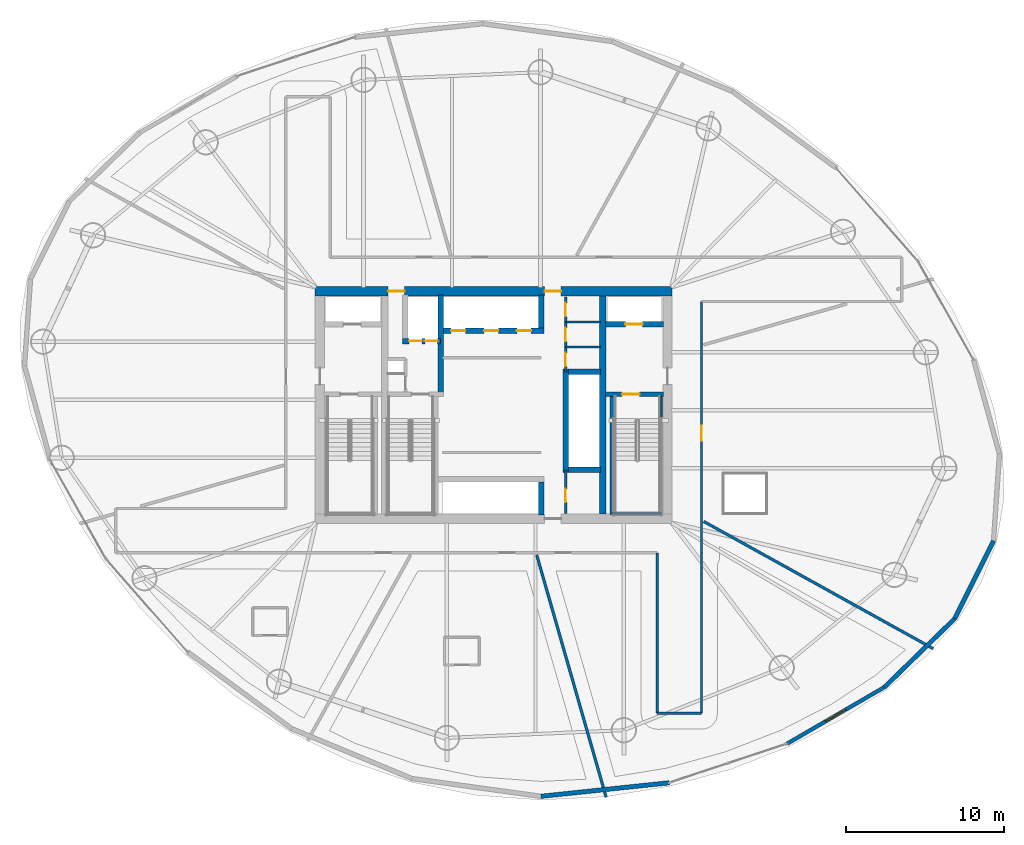
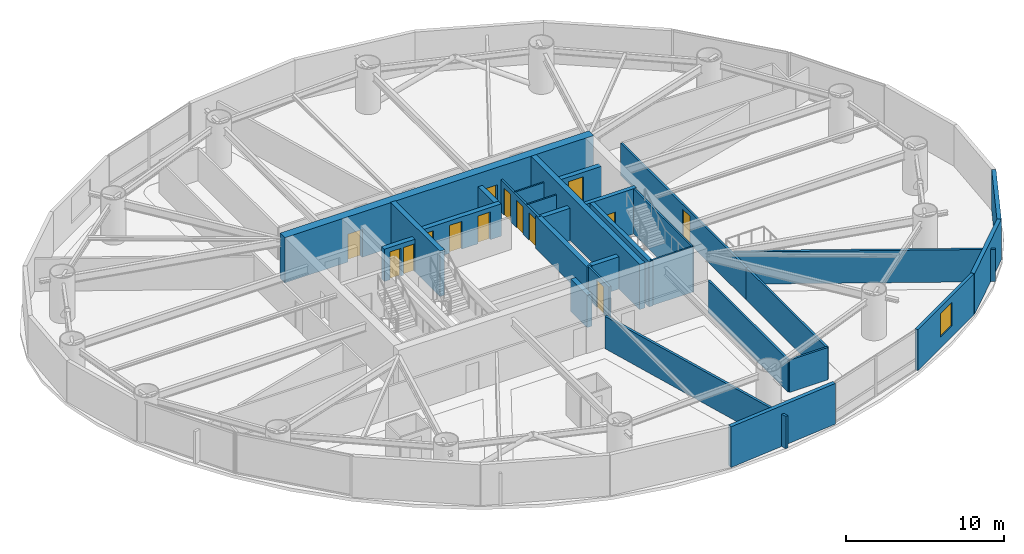
# One storey, part 19 of 25: 29 walls, 14 doors, 1 window, 15 openings.
"""IFC4 building model written with IfcOpenShell, lengths in metres."""

from ifc_helpers import new_model, si_unit, direction, frame, frame_2d, origin, place, context, subcontext, project, spatial, rectangle, extrude, material, layer, layer_set, type_object, element, fill, save


model = new_model("IFC4")

# Units and contexts
model_context = context("Model", 3, precision=1e-05, world=origin(), true_north=direction((0.0, 1.0)))
body_context = subcontext(model_context, "Body", "Model", "MODEL_VIEW")
ifc_project = project(units=[si_unit("LENGTHUNIT", "METRE"), si_unit("AREAUNIT", "SQUARE_METRE"), si_unit("VOLUMEUNIT", "CUBIC_METRE"), si_unit("PLANEANGLEUNIT", "RADIAN"), si_unit("MASSUNIT", "GRAM", prefix="KILO")], contexts=[model_context])

# Site, building, storey
site_placement = place(None, origin())
site = spatial("IfcSite", under=ifc_project, at=site_placement, CompositionType="ELEMENT")
building_placement = place(site_placement, origin())
building = spatial("IfcBuilding", under=site, at=building_placement, Name="Bramvorn Convention Spire", CompositionType="ELEMENT")
storey_placement = place(building_placement, frame((0.0, 0.0, 93.89990234375)))
storey = spatial("IfcBuildingStorey", under=building, at=storey_placement, Name="L22", CompositionType="ELEMENT", Elevation=93.89990234375)

# Wall, openings, doors
ifc_material_1 = material(Name="Concrete C60/70", Category="concrete")
ifc_layer_1 = layer(ifc_material_1, 0.60009765625)
ifc_layer_set_1 = layer_set([ifc_layer_1], Name="Concrete C60/70 - WL-CORE-600")
wall_type_1 = type_object("IfcWallType", Name="WL-CORE-600", PredefinedType="SHEAR", material=ifc_layer_set_1)
wall_1_placement = place(storey_placement, frame((26.699951171875, 33.199951171875, 0.0), z_axis=(0.0, 0.0, 1.0), x_axis=(1.0, 0.0, 0.0)))
wall_1 = element("IfcWall", 1, at=wall_1_placement, inside=storey, type_object=wall_type_1, Name="L22 North RC core shear wall", PredefinedType="SHEAR", context=body_context, shape_type="SweptSolid", body=[
    extrude(rectangle(XDim=22.60009765625, YDim=0.60009765625, at=frame_2d((11.300048828125, 0.0))), origin(), (0.0, 0.0, 1.0), 3.5),
])
opening_1_placement = place(wall_1_placement, frame((4.6201171875, 0.0, 0.0)))
opening_1 = element("IfcOpeningElement", 2, at=opening_1_placement, cuts=wall_1, Name="Opening DL-105", PredefinedType="OPENING", context=body_context, shape_type="SweptSolid", body=[
    extrude(rectangle(XDim=1.050048828125, YDim=2.14990234375, at=frame_2d((0.52490234375, 1.074951171875))), frame((0.0, 0.31005859375, 0.0), z_axis=(0.0, -1.0, 0.0), x_axis=(1.0, 0.0, 0.0)), (0.0, 0.0, 1.0), 0.6201171875),
])
opening_2_placement = place(wall_1_placement, frame((14.52001953125, 0.0, 0.0)))
opening_2 = element("IfcOpeningElement", 3, at=opening_2_placement, cuts=wall_1, Name="Opening DL-105", PredefinedType="OPENING", context=body_context, shape_type="SweptSolid", body=[
    extrude(rectangle(XDim=1.050048828125, YDim=2.14990234375, at=frame_2d((0.52490234375, 1.074951171875))), frame((0.0, 0.31005859375, 0.0), z_axis=(0.0, -1.0, 0.0), x_axis=(1.0, 0.0, 0.0)), (0.0, 0.0, 1.0), 0.6201171875),
])
ifc_material_2 = material(Name="Smoke-Sealed Fire Lobby Timber-Core Door", Category="wood")
door_type_1 = type_object("IfcDoorType", Name="DR-LOBBY-1050", OperationType="NOTDEFINED", PredefinedType="DOOR", material=ifc_material_2)
door_1_placement = place(opening_1_placement, origin())
door_1 = element("IfcDoor", 4, at=door_1_placement, inside=storey, type_object=door_type_1, Name="L22 Service & Stair ST3 Lobby north corridor door", OperationType="SINGLE_SWING_LEFT", OverallHeight=2.14990234375, OverallWidth=1.050048828125, PredefinedType="DOOR", context=body_context, shape_type="SweptSolid", body=[
    extrude(rectangle(XDim=1.050048828125, YDim=2.14990234375, at=frame_2d((0.52490234375, 1.074951171875))), frame((0.0, 0.02490234375, 0.0), z_axis=(0.0, -1.0, 0.0), x_axis=(1.0, 0.0, 0.0)), (0.0, 0.0, 1.0), 0.050048828125),
])
fill(opening_1, door_1)
door_2_placement = place(opening_2_placement, origin())
door_2 = element("IfcDoor", 5, at=door_2_placement, inside=storey, type_object=door_type_1, Name="L22 North Lift Lobby fire door", OperationType="SINGLE_SWING_LEFT", OverallHeight=2.14990234375, OverallWidth=1.050048828125, PredefinedType="DOOR", context=body_context, shape_type="SweptSolid", body=[
    extrude(rectangle(XDim=1.050048828125, YDim=2.14990234375, at=frame_2d((0.52490234375, 1.074951171875))), frame((0.0, 0.02490234375, 0.0), z_axis=(0.0, -1.0, 0.0), x_axis=(1.0, 0.0, 0.0)), (0.0, 0.0, 1.0), 0.050048828125),
])
fill(opening_2, door_2)

# Wall, opening, door
ifc_material_3 = material(Name="Concrete C50/60", Category="concrete")
ifc_layer_2 = layer(ifc_material_3, 0.35009765625)
ifc_layer_set_2 = layer_set([ifc_layer_2], Name="Concrete C50/60 - WL-CORE-INT-350")
wall_type_2 = type_object("IfcWallType", Name="WL-CORE-INT-350", PredefinedType="SHEAR", material=ifc_layer_set_2)
wall_2_placement = place(storey_placement, frame((45.080078125, 31.1201171875, 0.0), z_axis=(0.0, 0.0, 1.0), x_axis=(1.0, 0.0, 0.0)))
wall_2 = element("IfcWall", 6, at=wall_2_placement, inside=storey, type_object=wall_type_2, Name="L22 FE2 shaft front wall", PredefinedType="SHEAR", context=body_context, shape_type="SweptSolid", body=[
    extrude(rectangle(XDim=3.669921875, YDim=0.35009765625, at=frame_2d((1.8349609375, 0.0))), origin(), (0.0, 0.0, 1.0), 2.5),
])
opening_3_placement = place(wall_2_placement, frame((1.25, 0.0, 0.0)))
opening_3 = element("IfcOpeningElement", 7, at=opening_3_placement, cuts=wall_2, Name="Opening LD-110", PredefinedType="OPENING", context=body_context, shape_type="SweptSolid", body=[
    extrude(rectangle(XDim=1.10009765625, YDim=2.14990234375, at=frame_2d((0.550048828125, 1.074951171875))), frame((0.0, 0.18505859375, 0.0), z_axis=(0.0, -1.0, 0.0), x_axis=(1.0, 0.0, 0.0)), (0.0, 0.0, 1.0), 0.3701171875),
])
ifc_material_4 = material(Name="Firefighting & Service Lift Sliding Landing Door", Category="steel")
door_type_2 = type_object("IfcDoorType", Name="DR-LIFT-LD-1100", OperationType="NOTDEFINED", PredefinedType="DOOR", material=ifc_material_4)
door_3_placement = place(opening_3_placement, origin())
door_3 = element("IfcDoor", 8, at=door_3_placement, inside=storey, type_object=door_type_2, Name="L22 Lift FE2 Sliding Landing Door", OperationType="SLIDING_TO_LEFT", OverallHeight=2.14990234375, OverallWidth=1.10009765625, PredefinedType="DOOR", context=body_context, shape_type="SweptSolid", body=[
    extrude(rectangle(XDim=1.10009765625, YDim=2.14990234375, at=frame_2d((0.550048828125, 1.074951171875))), frame((0.0, 0.02490234375, 0.0), z_axis=(0.0, -1.0, 0.0), x_axis=(1.0, 0.0, 0.0)), (0.0, 0.0, 1.0), 0.050048828125),
])
fill(opening_3, door_3)

# Wall
wall_3_placement = place(storey_placement, frame((34.639892578125, 26.68994140625, 0.0), z_axis=(0.0, 0.0, 1.0), x_axis=(0.0, 1.0, 0.0)))
element("IfcWall", 9, at=wall_3_placement, inside=storey, type_object=wall_type_2, Name="L22 SV east core shaft wall", PredefinedType="SHEAR", context=body_context, shape_type="SweptSolid", body=[
    extrude(rectangle(XDim=6.260009765625, YDim=0.35009765625, at=frame_2d((3.1298828125, 0.0))), origin(), (0.0, 0.0, 1.0), 3.5),
])

# Wall, openings, doors
wall_4_placement = place(storey_placement, frame((32.22998046875, 30.050048828125, 0.0), z_axis=(0.0, 0.0, 1.0), x_axis=(1.0, 0.0, 0.0)))
wall_4 = element("IfcWall", 10, at=wall_4_placement, inside=storey, type_object=wall_type_2, Name="L22 SV1/SV2 shaft front wall", PredefinedType="SHEAR", context=body_context, shape_type="SweptSolid", body=[
    extrude(rectangle(XDim=2.409912109375, YDim=0.35009765625, at=frame_2d((1.205078125, 0.0))), origin(), (0.0, 0.0, 1.0), 2.5),
])
opening_4_placement = place(wall_4_placement, frame((0.419921875, 0.0, 0.0)))
opening_4 = element("IfcOpeningElement", 11, at=opening_4_placement, cuts=wall_4, Name="Opening LD-080", PredefinedType="OPENING", context=body_context, shape_type="SweptSolid", body=[
    extrude(rectangle(XDim=0.800048828125, YDim=2.14990234375, at=frame_2d((0.39990234375, 1.074951171875))), frame((0.0, 0.18505859375, 0.0), z_axis=(0.0, -1.0, 0.0), x_axis=(1.0, 0.0, 0.0)), (0.0, 0.0, 1.0), 0.3701171875),
])
opening_5_placement = place(wall_4_placement, frame((1.419921875, 0.0, 0.0)))
opening_5 = element("IfcOpeningElement", 12, at=opening_5_placement, cuts=wall_4, Name="Opening LD-080", PredefinedType="OPENING", context=body_context, shape_type="SweptSolid", body=[
    extrude(rectangle(XDim=0.800048828125, YDim=2.14990234375, at=frame_2d((0.39990234375, 1.074951171875))), frame((0.0, 0.18505859375, 0.0), z_axis=(0.0, -1.0, 0.0), x_axis=(1.0, 0.0, 0.0)), (0.0, 0.0, 1.0), 0.3701171875),
])
ifc_material_5 = material(Name="Service Lift Bi-Parting Landing Door", Category="steel")
door_type_3 = type_object("IfcDoorType", Name="DR-LIFT-LD-800", OperationType="NOTDEFINED", PredefinedType="DOOR", material=ifc_material_5)
door_4_placement = place(opening_4_placement, origin())
door_4 = element("IfcDoor", 13, at=door_4_placement, inside=storey, type_object=door_type_3, Name="L22 Lift SV1 Sliding Landing Door", OperationType="SLIDING_TO_LEFT", OverallHeight=2.14990234375, OverallWidth=0.800048828125, PredefinedType="DOOR", context=body_context, shape_type="SweptSolid", body=[
    extrude(rectangle(XDim=0.800048828125, YDim=2.14990234375, at=frame_2d((0.39990234375, 1.074951171875))), frame((0.0, 0.02490234375, 0.0), z_axis=(0.0, -1.0, 0.0), x_axis=(1.0, 0.0, 0.0)), (0.0, 0.0, 1.0), 0.050048828125),
])
fill(opening_4, door_4)
door_5_placement = place(opening_5_placement, origin())
door_5 = element("IfcDoor", 14, at=door_5_placement, inside=storey, type_object=door_type_3, Name="L22 Lift SV2 Sliding Landing Door", OperationType="SLIDING_TO_LEFT", OverallHeight=2.14990234375, OverallWidth=0.800048828125, PredefinedType="DOOR", context=body_context, shape_type="SweptSolid", body=[
    extrude(rectangle(XDim=0.800048828125, YDim=2.14990234375, at=frame_2d((0.39990234375, 1.074951171875))), frame((0.0, 0.02490234375, 0.0), z_axis=(0.0, -1.0, 0.0), x_axis=(1.0, 0.0, 0.0)), (0.0, 0.0, 1.0), 0.050048828125),
])
fill(opening_5, door_5)

# Walls
wall_5_placement = place(storey_placement, frame((42.550048828125, 21.72998046875, 0.0), z_axis=(0.0, 0.0, 1.0), x_axis=(0.0, 1.0, 0.0)))
element("IfcWall", 15, at=wall_5_placement, inside=storey, type_object=wall_type_2, Name="L22 High-rise lift bank west wall", PredefinedType="SHEAR", context=body_context, shape_type="SweptSolid", body=[
    extrude(rectangle(XDim=6.5400390625, YDim=0.35009765625, at=frame_2d((3.27001953125, 0.0))), origin(), (0.0, 0.0, 1.0), 2.5),
])
for number, where, z_axis, x_axis, name in (
    (16, (42.719970703125, 21.89990234375, 0.0), (0.0, 0.0, 1.0), (1.0, 0.0, 0.0), "L22 High-rise lift bank south wall"),
    (17, (42.719970703125, 28.10009765625, 0.0), (0.0, 0.0, 1.0), (1.0, 0.0, 0.0), "L22 High-rise lift bank north wall"),
):
    element("IfcWall", number, at=place(storey_placement, frame(where, z_axis=z_axis, x_axis=x_axis)), inside=storey, type_object=wall_type_2, Name=name, PredefinedType="SHEAR", context=body_context, shape_type="SweptSolid", body=[
        extrude(rectangle(XDim=2.030029296875, YDim=0.35009765625, at=frame_2d((1.01513671875, 0.0))), origin(), (0.0, 0.0, 1.0), 2.5),
    ])

# Wall, openings, doors
wall_6_placement = place(storey_placement, frame((34.81005859375, 30.699951171875, 0.0), z_axis=(0.0, 0.0, 1.0), x_axis=(1.0, 0.0, 0.0)))
wall_6 = element("IfcWall", 18, at=wall_6_placement, inside=storey, type_object=wall_type_2, Name="L22 Low-rise bank south landing wall", PredefinedType="SHEAR", context=body_context, shape_type="SweptSolid", body=[
    extrude(rectangle(XDim=6.35986328125, YDim=0.35009765625, at=frame_2d((3.179931640625, 0.0))), origin(), (0.0, 0.0, 1.0), 2.5),
])
opening_6_placement = place(wall_6_placement, frame((0.5, 0.0, 0.0)))
opening_6 = element("IfcOpeningElement", 19, at=opening_6_placement, cuts=wall_6, Name="Opening LD-090", PredefinedType="OPENING", context=body_context, shape_type="SweptSolid", body=[
    extrude(rectangle(XDim=0.89990234375, YDim=2.14990234375, at=frame_2d((0.449951171875, 1.074951171875))), frame((0.0, 0.18505859375, 0.0), z_axis=(0.0, -1.0, 0.0), x_axis=(1.0, 0.0, 0.0)), (0.0, 0.0, 1.0), 0.3701171875),
])
opening_7_placement = place(wall_6_placement, frame((2.580078125, 0.0, 0.0)))
opening_7 = element("IfcOpeningElement", 20, at=opening_7_placement, cuts=wall_6, Name="Opening LD-090", PredefinedType="OPENING", context=body_context, shape_type="SweptSolid", body=[
    extrude(rectangle(XDim=0.89990234375, YDim=2.14990234375, at=frame_2d((0.449951171875, 1.074951171875))), frame((0.0, 0.18505859375, 0.0), z_axis=(0.0, -1.0, 0.0), x_axis=(1.0, 0.0, 0.0)), (0.0, 0.0, 1.0), 0.3701171875),
])
opening_8_placement = place(wall_6_placement, frame((4.659912109375, 0.0, 0.0)))
opening_8 = element("IfcOpeningElement", 21, at=opening_8_placement, cuts=wall_6, Name="Opening LD-090", PredefinedType="OPENING", context=body_context, shape_type="SweptSolid", body=[
    extrude(rectangle(XDim=0.89990234375, YDim=2.14990234375, at=frame_2d((0.449951171875, 1.074951171875))), frame((0.0, 0.18505859375, 0.0), z_axis=(0.0, -1.0, 0.0), x_axis=(1.0, 0.0, 0.0)), (0.0, 0.0, 1.0), 0.3701171875),
])
ifc_material_6 = material(Name="Bi-Parting Fire-Rated Lift Landing Door", Category="steel")
door_type_4 = type_object("IfcDoorType", Name="DR-LIFT-LD-900", OperationType="NOTDEFINED", PredefinedType="DOOR", material=ifc_material_6)
door_6_placement = place(opening_6_placement, origin())
door_6 = element("IfcDoor", 22, at=door_6_placement, inside=storey, type_object=door_type_4, Name="L22 Lift PL1 Sliding Landing Door", OperationType="SLIDING_TO_LEFT", OverallHeight=2.14990234375, OverallWidth=0.89990234375, PredefinedType="DOOR", context=body_context, shape_type="SweptSolid", body=[
    extrude(rectangle(XDim=0.89990234375, YDim=2.14990234375, at=frame_2d((0.449951171875, 1.074951171875))), frame((0.0, 0.02490234375, 0.0), z_axis=(0.0, -1.0, 0.0), x_axis=(1.0, 0.0, 0.0)), (0.0, 0.0, 1.0), 0.050048828125),
])
fill(opening_6, door_6)
door_7_placement = place(opening_7_placement, origin())
door_7 = element("IfcDoor", 23, at=door_7_placement, inside=storey, type_object=door_type_4, Name="L22 Lift PL2 Sliding Landing Door", OperationType="SLIDING_TO_LEFT", OverallHeight=2.14990234375, OverallWidth=0.89990234375, PredefinedType="DOOR", context=body_context, shape_type="SweptSolid", body=[
    extrude(rectangle(XDim=0.89990234375, YDim=2.14990234375, at=frame_2d((0.449951171875, 1.074951171875))), frame((0.0, 0.02490234375, 0.0), z_axis=(0.0, -1.0, 0.0), x_axis=(1.0, 0.0, 0.0)), (0.0, 0.0, 1.0), 0.050048828125),
])
fill(opening_7, door_7)
door_8_placement = place(opening_8_placement, origin())
door_8 = element("IfcDoor", 24, at=door_8_placement, inside=storey, type_object=door_type_4, Name="L22 Lift PL3 Sliding Landing Door", OperationType="SLIDING_TO_LEFT", OverallHeight=2.14990234375, OverallWidth=0.89990234375, PredefinedType="DOOR", context=body_context, shape_type="SweptSolid", body=[
    extrude(rectangle(XDim=0.89990234375, YDim=2.14990234375, at=frame_2d((0.449951171875, 1.074951171875))), frame((0.0, 0.02490234375, 0.0), z_axis=(0.0, -1.0, 0.0), x_axis=(1.0, 0.0, 0.0)), (0.0, 0.0, 1.0), 0.050048828125),
])
fill(opening_8, door_8)

# Walls
for number, where, z_axis, x_axis, name in (
    (25, (41.0, 30.8701171875, 0.0), (0.0, 0.0, 1.0), (0.0, 1.0, 0.0), "L22 Low-rise bank east cheek wall"),
    (26, (41.0, 19.050048828125, 0.0), (0.0, 0.0, 1.0), (0.0, 1.0, 0.0), "L22 Mid-rise bank east cheek wall"),
):
    element("IfcWall", number, at=place(storey_placement, frame(where, z_axis=z_axis, x_axis=x_axis)), inside=storey, type_object=wall_type_2, Name=name, PredefinedType="SHEAR", context=body_context, shape_type="SweptSolid", body=[
        extrude(rectangle(XDim=2.079833984375, YDim=0.35009765625, at=frame_2d((1.0400390625, 0.0))), origin(), (0.0, 0.0, 1.0), 2.5),
    ])
ifc_layer_3 = layer(ifc_material_1, 0.39990234375)
ifc_layer_set_3 = layer_set([ifc_layer_3], Name="Concrete C60/70 - WL-CORE-INT-400")
wall_type_3 = type_object("IfcWallType", Name="WL-CORE-INT-400", PredefinedType="SHEAR", material=ifc_layer_set_3)
wall_7_placement = place(storey_placement, frame((44.89990234375, 19.10009765625, 0.0), z_axis=(0.0, 0.0, 1.0), x_axis=(0.0, 1.0, 0.0)))
element("IfcWall", 27, at=wall_7_placement, inside=storey, type_object=wall_type_3, Name="L22 East internal core shear web", PredefinedType="SHEAR", context=body_context, shape_type="SweptSolid", body=[
    extrude(rectangle(XDim=13.7998046875, YDim=0.39990234375, at=frame_2d((6.89990234375, 0.0))), origin(), (0.0, 0.0, 1.0), 3.5),
])
ifc_material_7 = material(Name="Precast Concrete C40/50 with Bronze Terracotta Rainscreen", Category="masonry")
ifc_layer_4 = layer(ifc_material_7, 0.300048828125)
ifc_layer_set_4 = layer_set([ifc_layer_4], Name="Precast Concrete C40/50 with Bronze Terracotta Rainscreen - WL-EXT-BRONZE-300")
wall_type_4 = type_object("IfcWallType", Name="WL-EXT-BRONZE-300", PredefinedType="SOLIDWALL", material=ifc_layer_set_4)
wall_8_placement = place(storey_placement, frame((49.110595703125, 2.09375, 0.0), z_axis=(0.0, 0.0, 1.0), x_axis=(-0.994472330428, -0.10499897149, 0.0)))
element("IfcWall", 28, at=wall_8_placement, inside=storey, type_object=wall_type_4, Name="L22 expressed bronze Gothic lancet pier wall 20", PredefinedType="SOLIDWALL", context=body_context, shape_type="SweptSolid", body=[
    extrude(rectangle(XDim=8.170654296875, YDim=0.280029296875, at=frame_2d((4.08544921875, 0.0))), origin(), (0.0, 0.0, 1.0), 3.150146484375),
])

# Wall, opening, window
wall_9_placement = place(storey_placement, frame((62.73388671875, 8.148193359375, 0.0), z_axis=(0.0, 0.0, 1.0), x_axis=(-0.864595936776, -0.502467776192, 0.0)))
wall_9 = element("IfcWall", 29, at=wall_9_placement, inside=storey, type_object=wall_type_4, Name="L22 bronze ceramic-frit spandrel & operable window bay 22", PredefinedType="SOLIDWALL", context=body_context, shape_type="SweptSolid", body=[
    extrude(rectangle(XDim=7.14306640625, YDim=0.239990234375, at=frame_2d((3.571533203125, 0.0))), origin(), (0.0, 0.0, 1.0), 3.150146484375),
])
opening_9_placement = place(wall_9_placement, frame((2.8212890625, 0.0, 0.85009765625)))
opening_9 = element("IfcOpeningElement", 30, at=opening_9_placement, cuts=wall_9, Name="Opening WN02", PredefinedType="OPENING", context=body_context, shape_type="SweptSolid", body=[
    extrude(rectangle(XDim=1.5, YDim=1.800048828125, at=frame_2d((0.75, 0.89990234375))), frame((0.0, 0.1298828125, 0.0), z_axis=(0.0, -1.0, 0.0), x_axis=(1.0, 0.0, 0.0)), (0.0, 0.0, 1.0), 0.260009765625),
])
ifc_material_8 = material(Name="Thermally Broken Bronze Aluminium & Triple Low-E Glass", Category="aluminium")
window_type = type_object("IfcWindowType", Name="WN-OP-1500X1800", PartitioningType="SINGLE_PANEL", PredefinedType="WINDOW", material=ifc_material_8)
window_placement = place(opening_9_placement, origin())
window = element("IfcWindow", 31, at=window_placement, inside=storey, type_object=window_type, Name="L22 operable parallel-vent window 22", OverallHeight=1.800048828125, OverallWidth=1.5, PartitioningType="SINGLE_PANEL", PredefinedType="WINDOW", context=body_context, shape_type="SweptSolid", body=[
    extrude(rectangle(XDim=1.5, YDim=1.800048828125, at=frame_2d((0.75, 0.89990234375))), frame((0.0, 0.030029296875, 0.0), z_axis=(0.0, -1.0, 0.0), x_axis=(1.0, 0.0, 0.0)), (0.0, 0.0, 1.0), 0.06005859375),
])
fill(opening_9, window)

# Walls
wall_10_placement = place(storey_placement, frame((67.181396484375, 12.485107421875, 0.0), z_axis=(0.0, 0.0, 1.0), x_axis=(-0.715952500347, -0.698148993587, 0.0)))
element("IfcWall", 32, at=wall_10_placement, inside=storey, type_object=wall_type_4, Name="L22 expressed bronze Gothic lancet pier wall 23", PredefinedType="SOLIDWALL", context=body_context, shape_type="SweptSolid", body=[
    extrude(rectangle(XDim=6.2119140625, YDim=0.280029296875, at=frame_2d((3.10595703125, 0.0))), origin(), (0.0, 0.0, 1.0), 3.150146484375),
])
wall_11_placement = place(storey_placement, frame((69.63330078125, 17.405517578125, 0.0), z_axis=(0.0, 0.0, 1.0), x_axis=(-0.446005247533, -0.895030345392, 0.0)))
element("IfcWall", 33, at=wall_11_placement, inside=storey, type_object=wall_type_4, Name="L22 expressed bronze Gothic lancet pier wall 24", PredefinedType="SOLIDWALL", context=body_context, shape_type="SweptSolid", body=[
    extrude(rectangle(XDim=5.49755859375, YDim=0.280029296875, at=frame_2d((2.748779296875, 0.0))), origin(), (0.0, 0.0, 1.0), 3.150146484375),
])
ifc_material_9 = material(Name="Lightweight En-Suite & Wet-Wall Partition", Category="gypsum")
ifc_layer_5 = layer(ifc_material_9, 0.110107421875)
ifc_layer_set_5 = layer_set([ifc_layer_5], Name="Lightweight En-Suite & Wet-Wall Partition - WL-PART-110")
wall_type_5 = type_object("IfcWallType", Name="WL-PART-110", PredefinedType="PARTITIONING", material=ifc_layer_set_5)
for number, where, z_axis, x_axis, name in (
    (34, (42.550048828125, 29.679931640625, 0.0), (0.0, 0.0, 1.0), (1.0, 0.0, 0.0), "L22 KC NE div 1"),
    (35, (42.550048828125, 31.260009765625, 0.0), (0.0, 0.0, 1.0), (1.0, 0.0, 0.0), "L22 KC NE div 2"),
):
    element("IfcWall", number, at=place(storey_placement, frame(where, z_axis=z_axis, x_axis=x_axis)), inside=storey, type_object=wall_type_5, Name=name, PredefinedType="PARTITIONING", context=body_context, shape_type="SweptSolid", body=[
        extrude(rectangle(XDim=2.199951171875, YDim=0.110107421875, at=frame_2d((1.10009765625, 0.0))), origin(), (0.0, 0.0, 1.0), 2.5),
    ])

# Wall, openings, doors
ifc_material_10 = material(Name="Acoustic Metal-Stud Tenant/Corridor Partition", Category="gypsum")
ifc_layer_6 = layer(ifc_material_10, 0.14990234375)
ifc_layer_set_6 = layer_set([ifc_layer_6], Name="Acoustic Metal-Stud Tenant/Corridor Partition - WL-PART-150")
wall_type_6 = type_object("IfcWallType", Name="WL-PART-150", PredefinedType="PARTITIONING", material=ifc_layer_set_6)
wall_12_placement = place(storey_placement, frame((42.550048828125, 28.10009765625, 0.0), z_axis=(0.0, 0.0, 1.0), x_axis=(0.0, 1.0, 0.0)))
wall_12 = element("IfcWall", 36, at=wall_12_placement, inside=storey, type_object=wall_type_6, Name="L22 KC NE wall", PredefinedType="PARTITIONING", context=body_context, shape_type="SweptSolid", body=[
    extrude(rectangle(XDim=4.75, YDim=0.14990234375, at=frame_2d((2.375, 0.0))), origin(), (0.0, 0.0, 1.0), 2.5),
])
opening_10_placement = place(wall_12_placement, frame((0.35009765625, 0.0, 0.0)))
opening_10 = element("IfcOpeningElement", 37, at=opening_10_placement, cuts=wall_12, Name="Opening DC-085", PredefinedType="OPENING", context=body_context, shape_type="SweptSolid", body=[
    extrude(rectangle(XDim=0.85009765625, YDim=2.10009765625, at=frame_2d((0.425048828125, 1.050048828125))), frame((0.0, 0.0849609375, 0.0), z_axis=(0.0, -1.0, 0.0), x_axis=(1.0, 0.0, 0.0)), (0.0, 0.0, 1.0), 0.169921875),
])
opening_11_placement = place(wall_12_placement, frame((1.929931640625, 0.0, 0.0)))
opening_11 = element("IfcOpeningElement", 38, at=opening_11_placement, cuts=wall_12, Name="Opening DC-085", PredefinedType="OPENING", context=body_context, shape_type="SweptSolid", body=[
    extrude(rectangle(XDim=0.85009765625, YDim=2.10009765625, at=frame_2d((0.425048828125, 1.050048828125))), frame((0.0, 0.0849609375, 0.0), z_axis=(0.0, -1.0, 0.0), x_axis=(1.0, 0.0, 0.0)), (0.0, 0.0, 1.0), 0.169921875),
])
opening_12_placement = place(wall_12_placement, frame((3.510009765625, 0.0, 0.0)))
opening_12 = element("IfcOpeningElement", 39, at=opening_12_placement, cuts=wall_12, Name="Opening DC-085", PredefinedType="OPENING", context=body_context, shape_type="SweptSolid", body=[
    extrude(rectangle(XDim=0.85009765625, YDim=2.10009765625, at=frame_2d((0.425048828125, 1.050048828125))), frame((0.0, 0.0849609375, 0.0), z_axis=(0.0, -1.0, 0.0), x_axis=(1.0, 0.0, 0.0)), (0.0, 0.0, 1.0), 0.169921875),
])
ifc_material_11 = material(Name="Fire-Rated Core Washroom & IDF Door", Category="wood")
door_type_5 = type_object("IfcDoorType", Name="DR-CORE-850", OperationType="NOTDEFINED", PredefinedType="DOOR", material=ifc_material_11)
door_9_placement = place(opening_10_placement, origin())
door_9 = element("IfcDoor", 40, at=door_9_placement, inside=storey, type_object=door_type_5, Name="L22 Accessible Core Restroom door", OperationType="SINGLE_SWING_LEFT", OverallHeight=2.10009765625, OverallWidth=0.85009765625, PredefinedType="DOOR", context=body_context, shape_type="SweptSolid", body=[
    extrude(rectangle(XDim=0.85009765625, YDim=2.10009765625, at=frame_2d((0.425048828125, 1.050048828125))), frame((0.0, 0.02490234375, 0.0), z_axis=(0.0, -1.0, 0.0), x_axis=(1.0, 0.0, 0.0)), (0.0, 0.0, 1.0), 0.050048828125),
])
fill(opening_10, door_9)
door_10_placement = place(opening_11_placement, origin())
door_10 = element("IfcDoor", 41, at=door_10_placement, inside=storey, type_object=door_type_5, Name="L22 Floor Housekeeping & Linen Store door", OperationType="SINGLE_SWING_LEFT", OverallHeight=2.10009765625, OverallWidth=0.85009765625, PredefinedType="DOOR", context=body_context, shape_type="SweptSolid", body=[
    extrude(rectangle(XDim=0.85009765625, YDim=2.10009765625, at=frame_2d((0.425048828125, 1.050048828125))), frame((0.0, 0.02490234375, 0.0), z_axis=(0.0, -1.0, 0.0), x_axis=(1.0, 0.0, 0.0)), (0.0, 0.0, 1.0), 0.050048828125),
])
fill(opening_11, door_10)
door_11_placement = place(opening_12_placement, origin())
door_11 = element("IfcDoor", 42, at=door_11_placement, inside=storey, type_object=door_type_5, Name="L22 Core Comms Closet door", OperationType="SINGLE_SWING_LEFT", OverallHeight=2.10009765625, OverallWidth=0.85009765625, PredefinedType="DOOR", context=body_context, shape_type="SweptSolid", body=[
    extrude(rectangle(XDim=0.85009765625, YDim=2.10009765625, at=frame_2d((0.425048828125, 1.050048828125))), frame((0.0, 0.02490234375, 0.0), z_axis=(0.0, -1.0, 0.0), x_axis=(1.0, 0.0, 0.0)), (0.0, 0.0, 1.0), 0.050048828125),
])
fill(opening_12, door_11)

# Wall, opening, door
wall_13_placement = place(storey_placement, frame((42.550048828125, 19.14990234375, 0.0), z_axis=(0.0, 0.0, 1.0), x_axis=(0.0, 1.0, 0.0)))
wall_13 = element("IfcWall", 43, at=wall_13_placement, inside=storey, type_object=wall_type_6, Name="L22 KC SE wall", PredefinedType="PARTITIONING", context=body_context, shape_type="SweptSolid", body=[
    extrude(rectangle(XDim=2.75, YDim=0.14990234375, at=frame_2d((1.375, 0.0))), origin(), (0.0, 0.0, 1.0), 2.5),
])
opening_13_placement = place(wall_13_placement, frame((0.699951171875, 0.0, 0.0)))
opening_13 = element("IfcOpeningElement", 44, at=opening_13_placement, cuts=wall_13, Name="Opening DC-085", PredefinedType="OPENING", context=body_context, shape_type="SweptSolid", body=[
    extrude(rectangle(XDim=0.85009765625, YDim=2.10009765625, at=frame_2d((0.425048828125, 1.050048828125))), frame((0.0, 0.0849609375, 0.0), z_axis=(0.0, -1.0, 0.0), x_axis=(1.0, 0.0, 0.0)), (0.0, 0.0, 1.0), 0.169921875),
])
door_12_placement = place(opening_13_placement, origin())
door_12 = element("IfcDoor", 45, at=door_12_placement, inside=storey, type_object=door_type_5, Name="L22 Core Valve & Riser Room door", OperationType="SINGLE_SWING_LEFT", OverallHeight=2.10009765625, OverallWidth=0.85009765625, PredefinedType="DOOR", context=body_context, shape_type="SweptSolid", body=[
    extrude(rectangle(XDim=0.85009765625, YDim=2.10009765625, at=frame_2d((0.425048828125, 1.050048828125))), frame((0.0, 0.02490234375, 0.0), z_axis=(0.0, -1.0, 0.0), x_axis=(1.0, 0.0, 0.0)), (0.0, 0.0, 1.0), 0.050048828125),
])
fill(opening_13, door_12)

wall_14_placement = place(storey_placement, frame((51.14990234375, 16.64990234375, 0.0), z_axis=(0.0, 0.0, 1.0), x_axis=(0.0, 1.0, 0.0)))
wall_14 = element("IfcWall", 46, at=wall_14_placement, inside=storey, type_object=wall_type_6, Name="L22 East ring corridor wall", PredefinedType="PARTITIONING", context=body_context, shape_type="SweptSolid", body=[
    extrude(rectangle(XDim=15.900146484375, YDim=0.14990234375, at=frame_2d((7.9501953125, 0.0))), origin(), (0.0, 0.0, 1.0), 2.5),
])
opening_14_placement = place(wall_14_placement, frame((7.098388671875, 0.0, 0.0)))
opening_14 = element("IfcOpeningElement", 47, at=opening_14_placement, cuts=wall_14, Name="Opening DH-095", PredefinedType="OPENING", context=body_context, shape_type="SweptSolid", body=[
    extrude(rectangle(XDim=0.949951171875, YDim=2.14990234375, at=frame_2d((0.47509765625, 1.074951171875))), frame((0.0, 0.0849609375, 0.0), z_axis=(0.0, -1.0, 0.0), x_axis=(1.0, 0.0, 0.0)), (0.0, 0.0, 1.0), 0.169921875),
])
ifc_material_12 = material(Name="Solid-Core Acoustic Guestroom Entry Door", Category="wood")
door_type_6 = type_object("IfcDoorType", Name="DR-HOTEL-950", OperationType="NOTDEFINED", PredefinedType="DOOR", material=ifc_material_12)
door_13_placement = place(opening_14_placement, origin())
door_13 = element("IfcDoor", 48, at=door_13_placement, inside=storey, type_object=door_type_6, Name="L22 Hospitality Salon 8 door", OperationType="SINGLE_SWING_LEFT", OverallHeight=2.14990234375, OverallWidth=0.949951171875, PredefinedType="DOOR", context=body_context, shape_type="SweptSolid", body=[
    extrude(rectangle(XDim=0.949951171875, YDim=2.14990234375, at=frame_2d((0.47509765625, 1.074951171875))), frame((0.0, 0.02490234375, 0.0), z_axis=(0.0, -1.0, 0.0), x_axis=(1.0, 0.0, 0.0)), (0.0, 0.0, 1.0), 0.050048828125),
])
fill(opening_14, door_13)

# Walls
for number, where, z_axis, x_axis, name in (
    (49, (48.35009765625, 6.5, 0.0), (0.0, 0.0, 1.0), (0.0, 1.0, 0.0), "L22 SE pinwheel wing west wall"),
    (50, (51.14990234375, 6.5, 0.0), (0.0, 0.0, 1.0), (0.0, 1.0, 0.0), "L22 SE pinwheel wing east wall"),
):
    element("IfcWall", number, at=place(storey_placement, frame(where, z_axis=z_axis, x_axis=x_axis)), inside=storey, type_object=wall_type_6, Name=name, PredefinedType="PARTITIONING", context=body_context, shape_type="SweptSolid", body=[
        extrude(rectangle(XDim=10.14990234375, YDim=0.14990234375, at=frame_2d((5.074951171875, 0.0))), origin(), (0.0, 0.0, 1.0), 2.5),
    ])
wall_15_placement = place(storey_placement, frame((48.35009765625, 6.5, 0.0), z_axis=(0.0, 0.0, 1.0), x_axis=(1.0, 0.0, 0.0)))
element("IfcWall", 51, at=wall_15_placement, inside=storey, type_object=wall_type_6, Name="L22 SE pinwheel end wall", PredefinedType="PARTITIONING", context=body_context, shape_type="SweptSolid", body=[
    extrude(rectangle(XDim=2.7998046875, YDim=0.14990234375, at=frame_2d((1.39990234375, 0.0))), origin(), (0.0, 0.0, 1.0), 2.5),
])
ifc_material_13 = material(Name="Double-Stud Acoustic Hotel/Suite Partition", Category="gypsum")
ifc_layer_7 = layer(ifc_material_13, 0.175048828125)
ifc_layer_set_7 = layer_set([ifc_layer_7], Name="Double-Stud Acoustic Hotel/Suite Partition - WL-PART-175")
wall_type_7 = type_object("IfcWallType", Name="WL-PART-175", PredefinedType="PARTITIONING", material=ifc_layer_set_7)
wall_16_placement = place(storey_placement, frame((40.72119140625, 16.510009765625, 0.0), z_axis=(0.0, 0.0, 1.0), x_axis=(0.275638608564, -0.961261336718, 0.0)))
element("IfcWall", 52, at=wall_16_placement, inside=storey, type_object=wall_type_7, Name="L22 Guestroom demising wall 7", PredefinedType="PARTITIONING", context=body_context, shape_type="SweptSolid", body=[
    extrude(rectangle(XDim=15.95361328125, YDim=0.175048828125, at=frame_2d((7.976806640625, 0.0))), origin(), (0.0, 0.0, 1.0), 2.5),
])
wall_17_placement = place(storey_placement, frame((51.2900390625, 18.63330078125, 0.0), z_axis=(0.0, 0.0, 1.0), x_axis=(0.874619141547, -0.4848106406, 0.0)))
element("IfcWall", 53, at=wall_17_placement, inside=storey, type_object=wall_type_7, Name="L22 Guestroom demising wall 8", PredefinedType="PARTITIONING", context=body_context, shape_type="SweptSolid", body=[
    extrude(rectangle(XDim=16.61669921875, YDim=0.175048828125, at=frame_2d((8.308349609375, 0.0))), origin(), (0.0, 0.0, 1.0), 2.5),
])

# Wall, opening, door
ifc_layer_8 = layer(ifc_material_3, 0.300048828125)
ifc_layer_set_8 = layer_set([ifc_layer_8], Name="Concrete C50/60 - WL-POD-STAIR-300")
wall_type_8 = type_object("IfcWallType", Name="WL-POD-STAIR-300", PredefinedType="SHEAR", material=ifc_layer_set_8)
wall_18_placement = place(storey_placement, frame((45.080078125, 26.68994140625, 0.0), z_axis=(0.0, 0.0, 1.0), x_axis=(1.0, 0.0, 0.0)))
wall_18 = element("IfcWall", 54, at=wall_18_placement, inside=storey, type_object=wall_type_8, Name="L22 ST2 north fire wall", PredefinedType="SHEAR", context=body_context, shape_type="SweptSolid", body=[
    extrude(rectangle(XDim=3.669921875, YDim=0.300048828125, at=frame_2d((1.8349609375, 0.0))), origin(), (0.0, 0.0, 1.0), 3.5),
])
opening_15_placement = place(wall_18_placement, frame((1.050048828125, 0.0, 0.0)))
opening_15 = element("IfcOpeningElement", 55, at=opening_15_placement, cuts=wall_18, Name="Opening DS-110", PredefinedType="OPENING", context=body_context, shape_type="SweptSolid", body=[
    extrude(rectangle(XDim=1.10009765625, YDim=2.14990234375, at=frame_2d((0.550048828125, 1.074951171875))), frame((0.0, 0.159912109375, 0.0), z_axis=(0.0, -1.0, 0.0), x_axis=(1.0, 0.0, 0.0)), (0.0, 0.0, 1.0), 0.320068359375),
])
ifc_material_14 = material(Name="Fire-Rated Hollow Steel Stairwell Door", Category="steel")
door_type_7 = type_object("IfcDoorType", Name="DR-STAIR-1100", OperationType="NOTDEFINED", PredefinedType="DOOR", material=ifc_material_14)
door_14_placement = place(opening_15_placement, origin())
door_14 = element("IfcDoor", 56, at=door_14_placement, inside=storey, type_object=door_type_7, Name="L22 Stair ST2 fire door", OperationType="SINGLE_SWING_RIGHT", OverallHeight=2.14990234375, OverallWidth=1.10009765625, PredefinedType="DOOR", context=body_context, shape_type="SweptSolid", body=[
    extrude(rectangle(XDim=1.10009765625, YDim=2.14990234375, at=frame_2d((0.550048828125, 1.074951171875))), frame((0.0, 0.02490234375, 0.0), z_axis=(0.0, -1.0, 0.0), x_axis=(1.0, 0.0, 0.0)), (0.0, 0.0, 1.0), 0.050048828125),
])
fill(opening_15, door_14)

# Walls
wall_19_placement = place(storey_placement, frame((45.510009765625, 19.050048828125, 0.0), z_axis=(0.0, 0.0, 1.0), x_axis=(0.0, 1.0, 0.0)))
element("IfcWall", 57, at=wall_19_placement, inside=storey, type_object=wall_type_8, Name="L22 ST2 west bearing wall", PredefinedType="SHEAR", context=body_context, shape_type="SweptSolid", body=[
    extrude(rectangle(XDim=7.5, YDim=0.300048828125, at=frame_2d((3.75, 0.0))), origin(), (0.0, 0.0, 1.0), 3.5),
])
ifc_layer_9 = layer(ifc_material_3, 0.1201171875)
ifc_layer_set_9 = layer_set([ifc_layer_9], Name="Concrete C50/60 - WL-STAIR-RC-120")
wall_type_9 = type_object("IfcWallType", Name="WL-STAIR-RC-120", PredefinedType="SHEAR", material=ifc_layer_set_9)
wall_20_placement = place(storey_placement, frame((48.60498046875, 19.10009765625, 0.0), z_axis=(0.0, 0.0, 1.0), x_axis=(0.0, 1.0, 0.0)))
element("IfcWall", 58, at=wall_20_placement, inside=storey, type_object=wall_type_9, Name="L22 ST2 east bearing shear wall", PredefinedType="SHEAR", context=body_context, shape_type="SweptSolid", body=[
    extrude(rectangle(XDim=7.449951171875, YDim=0.1201171875, at=frame_2d((3.72509765625, 0.0))), origin(), (0.0, 0.0, 1.0), 3.5),
])
wall_21_placement = place(storey_placement, frame((45.510009765625, 19.159912109375, 0.0), z_axis=(0.0, 0.0, 1.0), x_axis=(1.0, 0.0, 0.0)))
element("IfcWall", 59, at=wall_21_placement, inside=storey, type_object=wall_type_9, Name="L22 ST2 south bearing shear wall", PredefinedType="SHEAR", context=body_context, shape_type="SweptSolid", body=[
    extrude(rectangle(XDim=3.094970703125, YDim=0.1201171875, at=frame_2d((1.54736328125, 0.0))), origin(), (0.0, 0.0, 1.0), 3.5),
])

save(model, "model.ifc")
